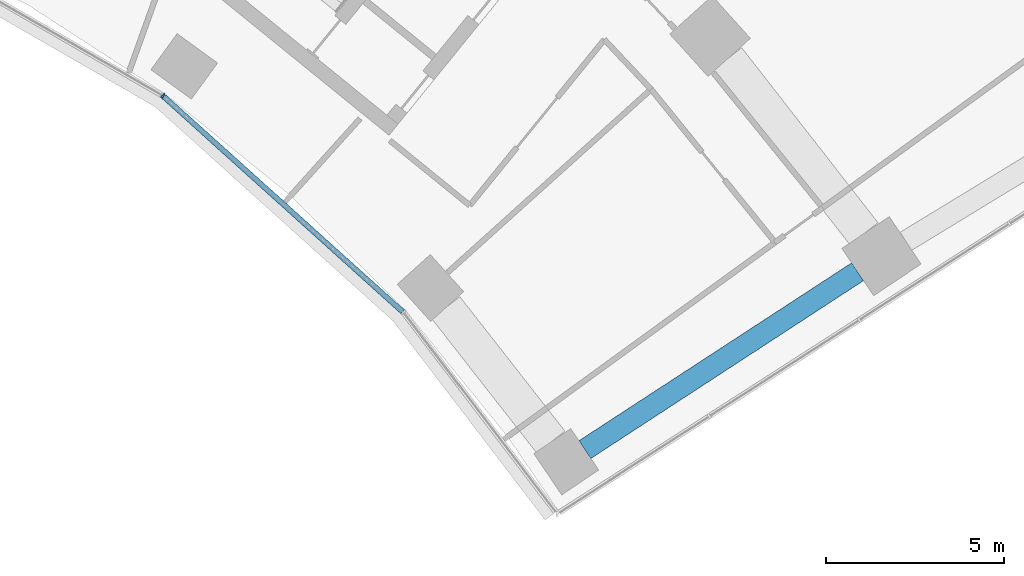
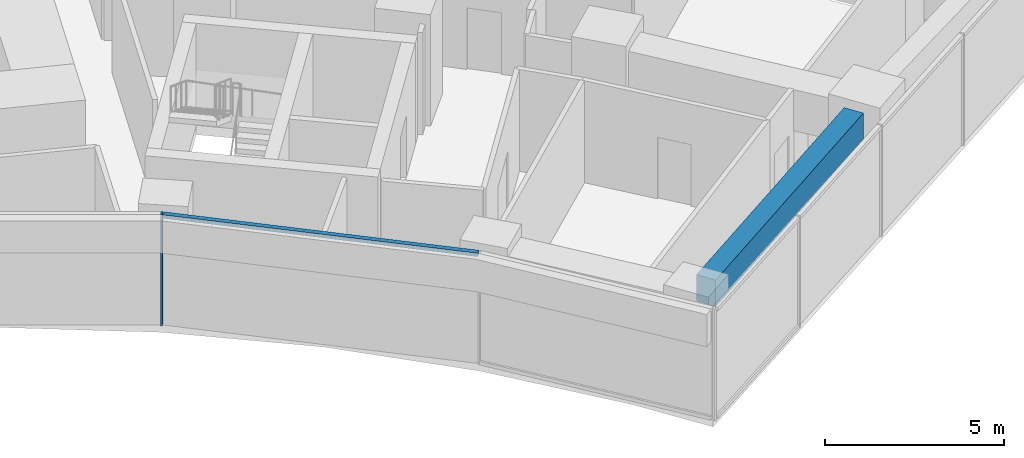
# One storey, part 10 of 25: 2 members, 1 beam, 1 element without a shape of its own.
"""IFC4 building model written with IfcOpenShell, lengths in metres."""

from ifc_helpers import new_model, si_unit, direction, frame, origin, origin_2d, place, context, subcontext, project, spatial, rectangle, extrude, material, layer, layer_set, material_profile, profile_set, type_object, element, aggregate, save


model = new_model("IFC4")

# Units and contexts
model_context = context("Model", 3, precision=1e-05, world=origin(), true_north=direction((0.0, 1.0)))
body_context = subcontext(model_context, "Body", "Model", "MODEL_VIEW")
ifc_project = project(units=[si_unit("LENGTHUNIT", "METRE"), si_unit("AREAUNIT", "SQUARE_METRE"), si_unit("VOLUMEUNIT", "CUBIC_METRE"), si_unit("PLANEANGLEUNIT", "RADIAN"), si_unit("MASSUNIT", "GRAM", prefix="KILO")], contexts=[model_context])

# Site, building, storey
site_placement = place(None, origin())
site = spatial("IfcSite", under=ifc_project, at=site_placement, CompositionType="ELEMENT")
building_placement = place(site_placement, origin())
building = spatial("IfcBuilding", under=site, at=building_placement, Name="Stone Belt Terrace Tower", CompositionType="ELEMENT")
storey_placement = place(building_placement, frame((0.0, 0.0, 52.800048828125)))
storey = spatial("IfcBuildingStorey", under=building, at=storey_placement, Name="L12", CompositionType="ELEMENT", Elevation=52.800048828125)

# Curtain wall, members
ifc_material_1 = material(Name="Aluminium 6063-T6 anodised frame", Category="aluminium")
ifc_layer = layer(ifc_material_1, 0.14990234375)
ifc_layer_set = layer_set([ifc_layer], Name="CW-B unitised concave-face curtain wall")
curtain_wall_type = type_object("IfcCurtainWallType", Name="CW-B unitised concave-face curtain wall", PredefinedType="NOTDEFINED", material=ifc_layer_set)
curtain_wall_placement = place(storey_placement, origin())
curtain_wall = element("IfcCurtainWall", 1, at=curtain_wall_placement, inside=storey, type_object=curtain_wall_type, Name="CW-B concave face L12", PredefinedType="NOTDEFINED")
ifc_material_profile_1 = material_profile(ifc_material_1, rectangle(XDim=0.14990234375, YDim=0.050048828125, at=origin_2d()), Name="Aluminium 6063-T6 50x150")
ifc_profile_set_1 = profile_set([ifc_material_profile_1], Name="Aluminium 6063-T6 anodised frame")
member_type_1 = type_object("IfcMemberType", Name="CW-B mullion 50 x 150", PredefinedType="MULLION", material=ifc_profile_set_1)
member_1_placement = place(storey_placement, frame((25.5244140625, 35.13134765625, 0.0), z_axis=(0.0, 0.0, 1.0), x_axis=(0.587785252292, 0.809016994375, 0.0)))
member_1 = element("IfcMember", 2, at=member_1_placement, type_object=member_type_1, Name="CW-B mullion 9", PredefinedType="MULLION", context=body_context, shape_type="SweptSolid", body=[
    extrude(rectangle(XDim=0.14990234375, YDim=0.050048828125, at=origin_2d()), origin(), (0.0, 0.0, 1.0), 3.800048828125),
])
ifc_material_profile_2 = material_profile(ifc_material_1, rectangle(XDim=0.14990234375, YDim=0.1201171875, at=origin_2d()), Name="Aluminium 6063-T6 150x120")
ifc_profile_set_2 = profile_set([ifc_material_profile_2], Name="Aluminium 6063-T6 anodised frame")
member_type_2 = type_object("IfcMemberType", Name="CW-B transom 120 x 150", PredefinedType="USERDEFINED", material=ifc_profile_set_2)
member_2_placement = place(storey_placement, frame((25.548583984375, 35.109375, 3.739990234375), z_axis=(0.743145996785, -0.669129305487, 0.0), x_axis=(0.669129305487, 0.743145996785, 0.0)))
member_2 = element("IfcMember", 3, at=member_2_placement, type_object=member_type_2, Name="CW-B transom 9.1", ObjectType="TRANSOM", PredefinedType="USERDEFINED", context=body_context, shape_type="SweptSolid", body=[
    extrude(rectangle(XDim=0.14990234375, YDim=0.1201171875, at=origin_2d()), origin(), (0.0, 0.0, 1.0), 9.0146484375),
])
aggregate(curtain_wall, [member_1, member_2])

# Beam
ifc_material_2 = material(Name="Concrete B60", Category="concrete")
ifc_material_profile_3 = material_profile(ifc_material_2, rectangle(XDim=0.60009765625, YDim=0.89990234375, at=origin_2d()), Name="RC 600x900")
ifc_profile_set_3 = profile_set([ifc_material_profile_3], Name="Concrete B60")
beam_type = type_object("IfcBeamType", Name="Edge beam RC 600x900 B60", PredefinedType="SPANDREL", material=ifc_profile_set_3)
beam_placement = place(storey_placement, frame((37.36181640625, 25.20703125, 3.030029296875), z_axis=(0.837606341505, 0.546274305337, 0.0), x_axis=(-0.546274305337, 0.837606341505, 0.0)))
element("IfcBeam", 4, at=beam_placement, inside=storey, type_object=beam_type, Name="Edge beam L12 B P to Q", PredefinedType="SPANDREL", context=body_context, shape_type="SweptSolid", body=[
    extrude(rectangle(XDim=0.60009765625, YDim=0.89990234375, at=origin_2d()), origin(), (0.0, 0.0, 1.0), 9.131103515625),
])

save(model, "model.ifc")
